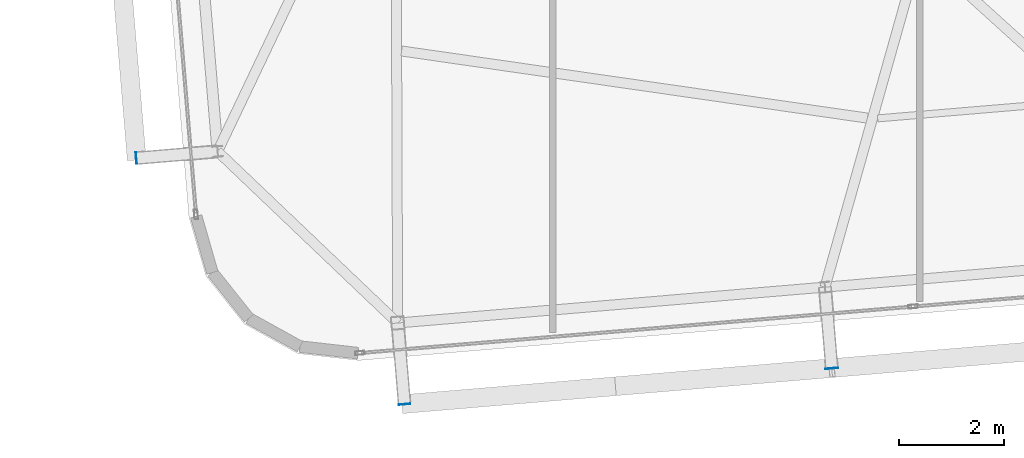
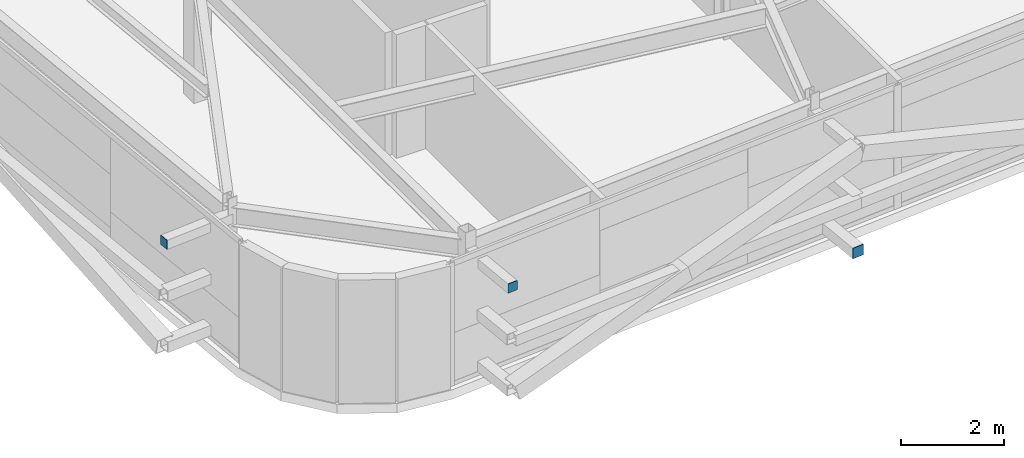
# One storey, part 27 of 39: 3 plates.
"""IFC4 building model written with IfcOpenShell, lengths in metres."""

from ifc_helpers import new_model, si_unit, direction, frame, origin, origin_2d, place, context, subcontext, project, spatial, rectangle, extrude, source, transform, mapped, material, layer, layer_set, type_object, element, save


model = new_model("IFC4")

# Units and contexts
model_context = context("Model", 3, precision=1e-05, world=origin(), true_north=direction((0.0, 1.0)))
body_context = subcontext(model_context, "Body", "Model", "MODEL_VIEW")
ifc_project = project(units=[si_unit("LENGTHUNIT", "METRE"), si_unit("AREAUNIT", "SQUARE_METRE"), si_unit("VOLUMEUNIT", "CUBIC_METRE"), si_unit("PLANEANGLEUNIT", "RADIAN"), si_unit("MASSUNIT", "GRAM", prefix="KILO")], contexts=[model_context])

# Site, building, storey
site_placement = place(None, origin())
site = spatial("IfcSite", under=ifc_project, at=site_placement, CompositionType="ELEMENT")
building_placement = place(site_placement, origin())
building = spatial("IfcBuilding", under=site, at=building_placement, Name="Taldren Reach Tower", CompositionType="ELEMENT")
storey_placement = place(building_placement, frame((0.0, 0.0, 178.85009765625)))
storey = spatial("IfcBuildingStorey", under=building, at=storey_placement, Name="L54", CompositionType="ELEMENT", Elevation=178.85009765625)

# Plates
ifc_material_1 = material(Name="Steel Gr 350 (C350L0)", Category="steel")
ifc_layer_1 = layer(ifc_material_1, 0.011962890625)
ifc_layer_set_1 = layer_set([ifc_layer_1], Name="Steel Gr 350 (C350L0)")
plate_type_1 = type_object("IfcPlateType", Name="PL-CAP-250", PredefinedType="SHEET", material=ifc_layer_set_1)
shared_shape_1 = source(origin(), body_context, "Body", "SweptSolid", [
    extrude(rectangle(XDim=0.25, YDim=0.011962890625, at=origin_2d()), origin(), (0.0, 0.0, 1.0), 0.25),
])
plate_1_placement = place(storey_placement, frame((26.321044921875, 1.22802734375, 0.094970703125), z_axis=(0.0, 0.0, 1.0), x_axis=(0.99649285925, 0.083677843332, 0.0)))
element("IfcPlate", 1, at=plate_1_placement, inside=storey, type_object=plate_type_1, Name="Tie strut end cap plate B4-S2 L54", PredefinedType="SHEET", context=body_context, shape_type="MappedRepresentation", body=[
    mapped(shared_shape_1, transform((0.0, 0.0, 0.0), scale=1.0)),
])
ifc_material_2 = material(Name="Steel Gr 450 (C450L0)", Category="steel")
ifc_layer_2 = layer(ifc_material_2, 0.011962890625)
ifc_layer_set_2 = layer_set([ifc_layer_2], Name="Steel Gr 450 (C450L0)")
plate_type_2 = type_object("IfcPlateType", Name="PL-CAP-220", PredefinedType="SHEET", material=ifc_layer_set_2)
shared_shape_2 = source(origin(), body_context, "Body", "SweptSolid", [
    extrude(rectangle(XDim=0.219970703125, YDim=0.011962890625, at=origin_2d()), origin(), (0.0, 0.0, 1.0), 0.219970703125),
])
plate_2_placement = place(storey_placement, frame((18.169921875, 0.54345703125, 2.5400390625), z_axis=(0.0, 0.0, 1.0), x_axis=(0.99649285925, 0.083677843332, 0.0)))
element("IfcPlate", 2, at=plate_2_placement, inside=storey, type_object=plate_type_2, Name="Tie strut end cap plate B4-S1 L54", PredefinedType="SHEET", context=body_context, shape_type="MappedRepresentation", body=[
    mapped(shared_shape_2, transform((0.0, 0.0, 0.0), scale=1.0)),
])
shared_shape_3 = source(origin(), body_context, "Body", "SweptSolid", [
    extrude(rectangle(XDim=0.011962890625, YDim=0.219970703125, at=origin_2d()), origin(), (0.0, 0.0, 1.0), 0.219970703125),
])
plate_3_placement = place(storey_placement, frame((13.052978515625, 5.23779296875, 2.5400390625), z_axis=(0.0, 0.0, 1.0), x_axis=(0.99649285925, 0.083677843332, 0.0)))
element("IfcPlate", 3, at=plate_3_placement, inside=storey, type_object=plate_type_2, Name="Tie strut end cap plate B4-W1 L54", PredefinedType="SHEET", context=body_context, shape_type="MappedRepresentation", body=[
    mapped(shared_shape_3, transform((0.0, 0.0, 0.0), scale=1.0)),
])

save(model, "model.ifc")
